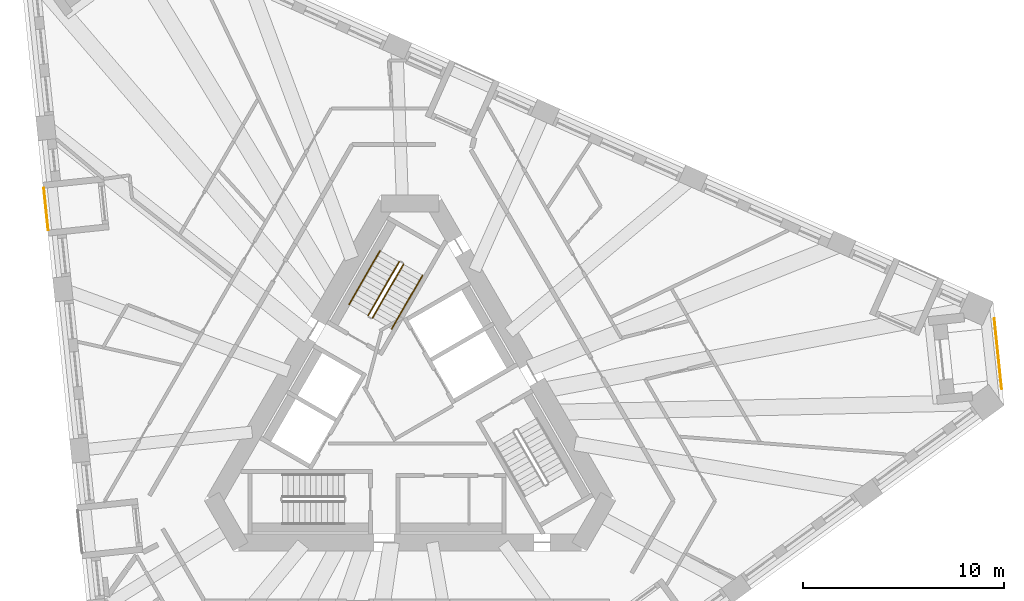
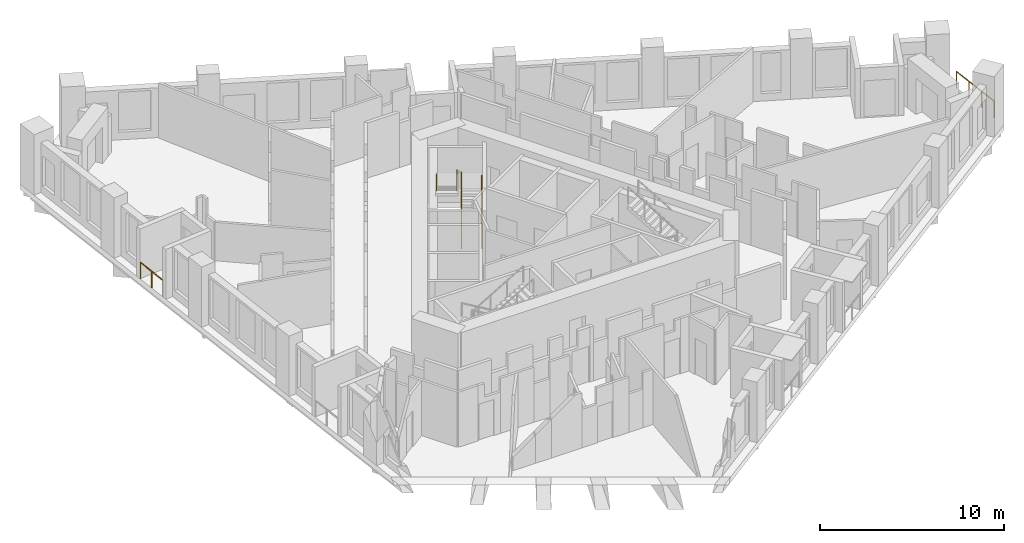
# One storey, part 12 of 14: 6 railings.
"""IFC4 building model written with IfcOpenShell, lengths in metres."""

from ifc_helpers import new_model, si_unit, direction, frame, origin, origin_2d, place, context, subcontext, project, spatial, circle, extrude, material, type_object, element, save


model = new_model("IFC4")

# Units and contexts
model_context = context("Model", 3, precision=1e-05, world=origin(), true_north=direction((0.0, 1.0)))
body_context = subcontext(model_context, "Body", "Model", "MODEL_VIEW")
ifc_project = project(units=[si_unit("LENGTHUNIT", "METRE"), si_unit("AREAUNIT", "SQUARE_METRE"), si_unit("VOLUMEUNIT", "CUBIC_METRE"), si_unit("PLANEANGLEUNIT", "RADIAN"), si_unit("MASSUNIT", "GRAM", prefix="KILO")], contexts=[model_context])

# Site, building, storey
site_placement = place(None, origin())
site = spatial("IfcSite", under=ifc_project, at=site_placement, CompositionType="ELEMENT")
building_placement = place(site_placement, origin())
building = spatial("IfcBuilding", under=site, at=building_placement, Name="Tramontana Tower", CompositionType="ELEMENT")
storey_placement = place(building_placement, frame((0.0, 0.0, 178.800048828125)))
storey = spatial("IfcBuildingStorey", under=building, at=storey_placement, Name="L41", CompositionType="ELEMENT", Elevation=178.800048828125)

# Railings
ifc_material_1 = material(Name="Laminated glass balustrade", Category="glass")
railing_type_1 = type_object("IfcRailingType", Name="GD1 Loggia glass balustrade 1100", PredefinedType="BALUSTRADE", material=ifc_material_1)
railing_1_placement = place(storey_placement, frame((-18.25390625, 11.325439453125, 0.0)))
element("IfcRailing", 1, at=railing_1_placement, inside=storey, type_object=railing_type_1, Name="Loggia balustrade L41 G4S0.4", PredefinedType="BALUSTRADE", context=body_context, shape_type="SweptSolid", body=[
    extrude(circle(Radius=0.02392578125, at=origin_2d()), frame((0.0, 0.0, 1.076171875), z_axis=(0.104569484464, -0.994517583011, 0.0), x_axis=(0.994517583011, 0.104569484464, 0.0)), (0.0, 0.0, 1.0), 2.09423828125),
    extrude(circle(Radius=0.02099609375, at=origin_2d()), origin(), (0.0, 0.0, 1.0), 1.052001953125),
    extrude(circle(Radius=0.02099609375, at=origin_2d()), frame((0.109375, -1.04150390625, 0.0)), (0.0, 0.0, 1.0), 1.052001953125),
    extrude(circle(Radius=0.02099609375, at=origin_2d()), frame((0.218994140625, -2.082763671875, 0.0)), (0.0, 0.0, 1.0), 1.052001953125),
])
railing_2_placement = place(storey_placement, frame((29.125732421875, 4.82080078125, 0.0)))
element("IfcRailing", 2, at=railing_2_placement, inside=storey, type_object=railing_type_1, Name="Corner loggia balustrade L41 K42", PredefinedType="BALUSTRADE", context=body_context, shape_type="SweptSolid", body=[
    extrude(circle(Radius=0.02392578125, at=origin_2d()), frame((0.0, 0.0, 1.076171875), z_axis=(0.104495960989, -0.994525310958, 0.0), x_axis=(0.994525310958, 0.104495960989, 0.0)), (0.0, 0.0, 1.0), 3.499755859375),
    extrude(circle(Radius=0.02099609375, at=origin_2d()), origin(), (0.0, 0.0, 1.0), 1.052001953125),
    extrude(circle(Radius=0.02099609375, at=origin_2d()), frame((0.121826171875, -1.16015625, 0.0)), (0.0, 0.0, 1.0), 1.052001953125),
    extrude(circle(Radius=0.02099609375, at=origin_2d()), frame((0.243896484375, -2.320556640625, 0.0)), (0.0, 0.0, 1.0), 1.052001953125),
    extrude(circle(Radius=0.02099609375, at=origin_2d()), frame((0.36572265625, -3.480712890625, 0.0)), (0.0, 0.0, 1.0), 1.052001953125),
])
ifc_material_2 = material(Name="Painted steel", Category="steel")
railing_type_2 = type_object("IfcRailingType", Name="STAIR GUARD 1100", PredefinedType="GUARDRAIL", material=ifc_material_2)
railing_3_placement = place(storey_placement, frame((-1.867431640625, 4.865478515625, 0.16650390625)))
element("IfcRailing", 3, at=railing_3_placement, inside=storey, type_object=railing_type_2, Name="L41 ST1 stair guard 1", PredefinedType="GUARDRAIL", context=body_context, shape_type="SweptSolid", body=[
    extrude(circle(Radius=0.02392578125, at=origin_2d()), frame((0.0, 0.0, 1.076171875), z_axis=(0.429634447492, 0.7441639146, 0.511502013422), x_axis=(-0.866029832698, 0.499992328818, 0.0)), (0.0, 0.0, 1.0), 3.58447265625),
    extrude(circle(Radius=0.02099609375, at=origin_2d()), origin(), (0.0, 0.0, 1.0), 1.052001953125),
    extrude(circle(Radius=0.02099609375, at=origin_2d()), frame((0.513427734375, 0.88916015625, 0.611083984375)), (0.0, 0.0, 1.0), 1.052001953125),
    extrude(circle(Radius=0.02099609375, at=origin_2d()), frame((1.026611328125, 1.7783203125, 1.222412109375)), (0.0, 0.0, 1.0), 1.052001953125),
    extrude(circle(Radius=0.02099609375, at=origin_2d()), frame((1.5400390625, 2.66748046875, 1.83349609375)), (0.0, 0.0, 1.0), 1.052001953125),
])
railing_4_placement = place(storey_placement, frame((-0.5439453125, 7.657958984375, 2.16650390625)))
element("IfcRailing", 4, at=railing_4_placement, inside=storey, type_object=railing_type_2, Name="L41 ST1 stair guard 2", PredefinedType="GUARDRAIL", context=body_context, shape_type="SweptSolid", body=[
    extrude(circle(Radius=0.02392578125, at=origin_2d()), frame((0.0, 0.0, 1.076171875), z_axis=(-0.429634447492, -0.7441639146, 0.511502013422), x_axis=(0.866029832698, -0.499992328818, 0.0)), (0.0, 0.0, 1.0), 3.58447265625),
    extrude(circle(Radius=0.02099609375, at=origin_2d()), origin(), (0.0, 0.0, 1.0), 1.052001953125),
    extrude(circle(Radius=0.02099609375, at=origin_2d()), frame((-0.513427734375, -0.88916015625, 0.611083984375)), (0.0, 0.0, 1.0), 1.052001953125),
    extrude(circle(Radius=0.02099609375, at=origin_2d()), frame((-1.026611328125, -1.7783203125, 1.222412109375)), (0.0, 0.0, 1.0), 1.052001953125),
    extrude(circle(Radius=0.02099609375, at=origin_2d()), frame((-1.5400390625, -2.66748046875, 1.83349609375)), (0.0, 0.0, 1.0), 1.052001953125),
])
ifc_material_3 = material(Name="Painted steel", Category="steel")
railing_type_3 = type_object("IfcRailingType", Name="STAIR HANDRAIL 900", PredefinedType="HANDRAIL", material=ifc_material_3)
railing_5_placement = place(storey_placement, frame((-0.914794921875, 4.315673828125, 0.16650390625)))
element("IfcRailing", 5, at=railing_5_placement, inside=storey, type_object=railing_type_3, Name="L41 ST1 stair handrail 1", PredefinedType="HANDRAIL", context=body_context, shape_type="SweptSolid", body=[
    extrude(circle(Radius=0.02392578125, at=origin_2d()), frame((0.0, 0.0, 0.8759765625), z_axis=(0.429656224001, 0.744133520484, 0.511527939481), x_axis=(-0.866010015463, 0.500026652407, 0.0)), (0.0, 0.0, 1.0), 3.58447265625),
    extrude(circle(Radius=0.02099609375, at=origin_2d()), origin(), (0.0, 0.0, 1.0), 0.851806640625),
    extrude(circle(Radius=0.02099609375, at=origin_2d()), frame((0.513427734375, 0.88916015625, 0.611083984375)), (0.0, 0.0, 1.0), 0.851806640625),
    extrude(circle(Radius=0.02099609375, at=origin_2d()), frame((1.026611328125, 1.778076171875, 1.222412109375)), (0.0, 0.0, 1.0), 0.851806640625),
    extrude(circle(Radius=0.02099609375, at=origin_2d()), frame((1.5400390625, 2.667236328125, 1.83349609375)), (0.0, 0.0, 1.0), 0.851806640625),
])
railing_6_placement = place(storey_placement, frame((-1.49658203125, 8.2080078125, 2.16650390625)))
element("IfcRailing", 6, at=railing_6_placement, inside=storey, type_object=railing_type_3, Name="L41 ST1 stair handrail 2", PredefinedType="HANDRAIL", context=body_context, shape_type="SweptSolid", body=[
    extrude(circle(Radius=0.02392578125, at=origin_2d()), frame((0.0, 0.0, 0.8759765625), z_axis=(-0.429634447492, -0.7441639146, 0.511502013422), x_axis=(0.866029832698, -0.499992328818, 0.0)), (0.0, 0.0, 1.0), 3.58447265625),
    extrude(circle(Radius=0.02099609375, at=origin_2d()), origin(), (0.0, 0.0, 1.0), 0.851806640625),
    extrude(circle(Radius=0.02099609375, at=origin_2d()), frame((-0.513427734375, -0.88916015625, 0.611083984375)), (0.0, 0.0, 1.0), 0.851806640625),
    extrude(circle(Radius=0.02099609375, at=origin_2d()), frame((-1.026611328125, -1.7783203125, 1.222412109375)), (0.0, 0.0, 1.0), 0.851806640625),
    extrude(circle(Radius=0.02099609375, at=origin_2d()), frame((-1.5400390625, -2.66748046875, 1.83349609375)), (0.0, 0.0, 1.0), 0.851806640625),
])

save(model, "model.ifc")
